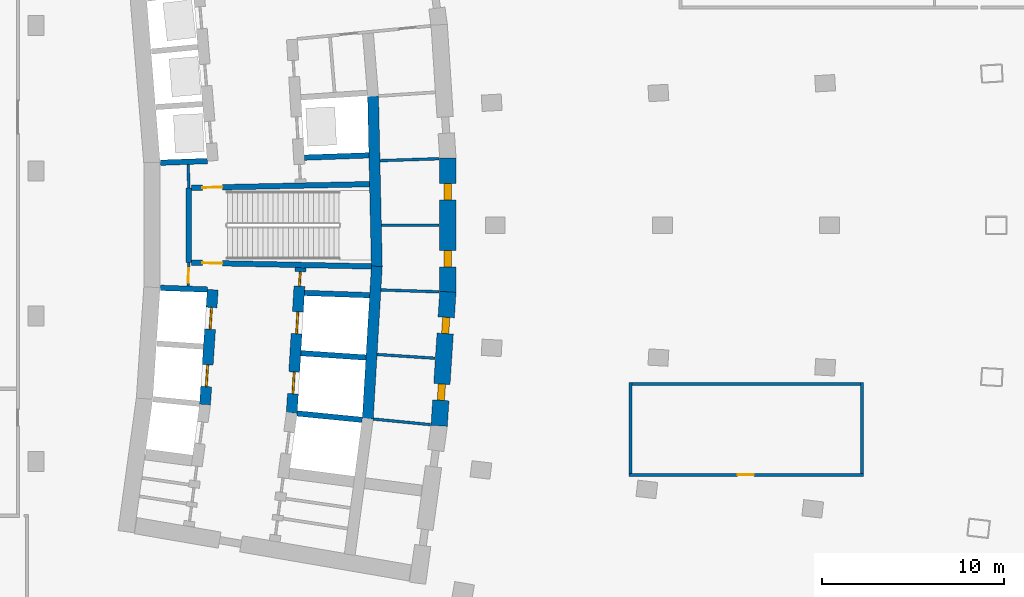
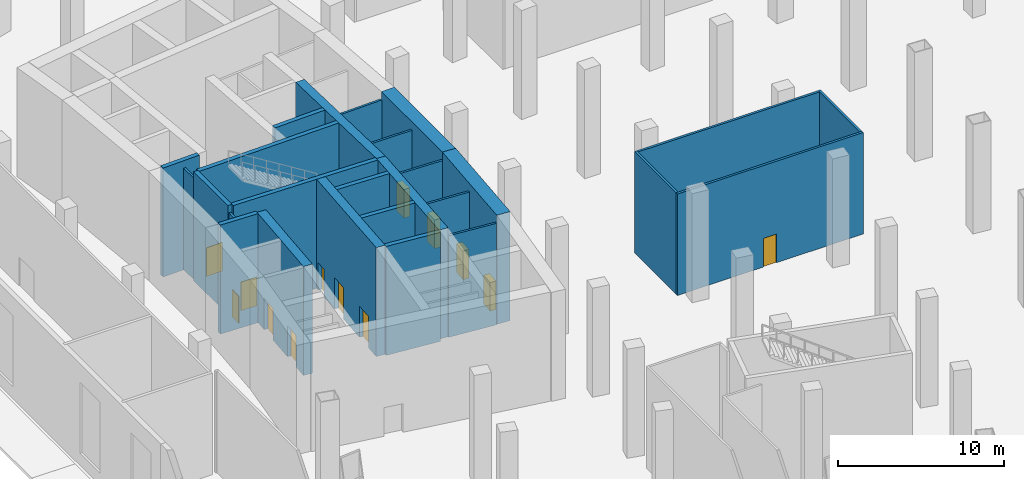
# One storey, part 15 of 33: 26 walls, 13 doors, 13 openings.
"""IFC4 building model written with IfcOpenShell, lengths in metres."""

from ifc_helpers import new_model, si_unit, direction, frame, frame_2d, origin, place, context, subcontext, project, spatial, rectangle, extrude, material, layer, layer_set, type_object, element, fill, save


model = new_model("IFC4")

# Units and contexts
model_context = context("Model", 3, precision=1e-05, world=origin(), true_north=direction((0.0, 1.0)))
body_context = subcontext(model_context, "Body", "Model", "MODEL_VIEW")
ifc_project = project(units=[si_unit("LENGTHUNIT", "METRE"), si_unit("AREAUNIT", "SQUARE_METRE"), si_unit("VOLUMEUNIT", "CUBIC_METRE"), si_unit("PLANEANGLEUNIT", "RADIAN"), si_unit("MASSUNIT", "GRAM", prefix="KILO")], contexts=[model_context])

# Site, building, storey
site_placement = place(None, origin())
site = spatial("IfcSite", under=ifc_project, at=site_placement, CompositionType="ELEMENT")
building_placement = place(site_placement, origin())
building = spatial("IfcBuilding", under=site, at=building_placement, Name="Alderwake Tower", CompositionType="ELEMENT")
storey_placement = place(building_placement, origin())
storey = spatial("IfcBuildingStorey", under=building, at=storey_placement, Name="L00", CompositionType="ELEMENT", Elevation=0.0)

# Wall, opening, door
ifc_material_1 = material(Name="Gypsum shaft wall system, rated")
ifc_layer_1 = layer(ifc_material_1, 0.14990234375)
ifc_layer_set_1 = layer_set([ifc_layer_1], Name="Core room partition 150")
wall_type_1 = type_object("IfcWallType", Name="Core room partition 150", PredefinedType="PARTITIONING", material=ifc_layer_set_1)
wall_1_placement = place(storey_placement, frame((18.918701171875, 58.94384765625, 0.0), z_axis=(0.0, 0.0, 1.0), x_axis=(-0.027348257573, -0.999625966453, 0.0)))
wall_1 = element("IfcWall", 1, at=wall_1_placement, inside=storey, type_object=wall_type_1, Name="CW/L00/PA+24_-37", PredefinedType="PARTITIONING", context=body_context, shape_type="SweptSolid", body=[
    extrude(rectangle(XDim=1.29443359375, YDim=0.14990234375, at=frame_2d((0.647216796875, 0.0))), origin(), (0.0, 0.0, 1.0), 7.449951171875),
])
opening_1_placement = place(wall_1_placement, frame((0.322998046875, 0.0, 0.0)))
opening_1 = element("IfcOpeningElement", 2, at=opening_1_placement, cuts=wall_1, Name="Opening C004", PredefinedType="OPENING", context=body_context, shape_type="SweptSolid", body=[
    extrude(rectangle(XDim=0.800048828125, YDim=2.0, at=frame_2d((0.39990234375, 1.0))), frame((0.0, 0.0849609375, 0.0), z_axis=(0.0, -1.0, 0.0), x_axis=(1.0, 0.0, 0.0)), (0.0, 0.0, 1.0), 0.169921875),
])
ifc_material_2 = material(Name="Painted steel leaf, rated", Category="steel")
door_type_1 = type_object("IfcDoorType", Name="Riser access door 800", OperationType="SINGLE_SWING_LEFT", PredefinedType="DOOR", material=ifc_material_2)
door_1_placement = place(opening_1_placement, origin())
door_1 = element("IfcDoor", 3, at=door_1_placement, inside=storey, type_object=door_type_1, Name="Riser access door", OperationType="SINGLE_SWING_RIGHT", OverallHeight=2.0, OverallWidth=0.800048828125, PredefinedType="DOOR", context=body_context, shape_type="SweptSolid", body=[
    extrude(rectangle(XDim=0.800048828125, YDim=2.0, at=frame_2d((0.39990234375, 1.0))), frame((0.0, 0.02490234375, 0.0), z_axis=(0.0, -1.0, 0.0), x_axis=(1.0, 0.0, 0.0)), (0.0, 0.0, 1.0), 0.050048828125),
])
fill(opening_1, door_1)

# Walls
wall_2_placement = place(storey_placement, frame((18.918701171875, 63.05517578125, 0.0), z_axis=(0.0, 0.0, 1.0), x_axis=(-0.027327648352, 0.999626530078, 0.0)))
element("IfcWall", 4, at=wall_2_placement, inside=storey, type_object=wall_type_1, Name="CW/L00/PA+24_+22", PredefinedType="PARTITIONING", context=body_context, shape_type="SweptSolid", body=[
    extrude(rectangle(XDim=1.29541015625, YDim=0.14990234375, at=frame_2d((0.647705078125, 0.0))), origin(), (0.0, 0.0, 1.0), 7.449951171875),
])
wall_3_placement = place(storey_placement, frame((29.0791015625, 50.326416015625, 0.0), z_axis=(0.0, 0.0, 1.0), x_axis=(0.995249181795, -0.097360495766, 0.0)))
element("IfcWall", 5, at=wall_3_placement, inside=storey, type_object=wall_type_1, Name="CW/L00/PR-102_+128", PredefinedType="PARTITIONING", context=body_context, shape_type="SweptSolid", body=[
    extrude(rectangle(XDim=3.169677734375, YDim=0.14990234375, at=frame_2d((1.5849609375, 0.0))), origin(), (0.0, 0.0, 1.0), 7.449951171875),
])
wall_4_placement = place(storey_placement, frame((29.289794921875, 53.883056640625, 0.0), z_axis=(0.0, 0.0, 1.0), x_axis=(0.997885290873, -0.064999586616, 0.0)))
element("IfcWall", 6, at=wall_4_placement, inside=storey, type_object=wall_type_1, Name="CW/L00/PR-68_+128", PredefinedType="PARTITIONING", context=body_context, shape_type="SweptSolid", body=[
    extrude(rectangle(XDim=3.18896484375, YDim=0.14990234375, at=frame_2d((1.594482421875, 0.0))), origin(), (0.0, 0.0, 1.0), 7.449951171875),
])
wall_5_placement = place(storey_placement, frame((29.50048828125, 57.4384765625, 0.0), z_axis=(0.0, 0.0, 1.0), x_axis=(0.999470508275, -0.032537717924, 0.0)))
element("IfcWall", 7, at=wall_5_placement, inside=storey, type_object=wall_type_1, Name="CW/L00/PR-34_+128", PredefinedType="PARTITIONING", context=body_context, shape_type="SweptSolid", body=[
    extrude(rectangle(XDim=3.21142578125, YDim=0.14990234375, at=frame_2d((1.605712890625, 0.0))), origin(), (0.0, 0.0, 1.0), 7.449951171875),
])
wall_6_placement = place(storey_placement, frame((29.526123046875, 61.0, 0.0), z_axis=(0.0, 0.0, 1.0), x_axis=(1.0, 0.0, 0.0)))
element("IfcWall", 8, at=wall_6_placement, inside=storey, type_object=wall_type_1, Name="CW/L00/PR+0_+128", PredefinedType="PARTITIONING", context=body_context, shape_type="SweptSolid", body=[
    extrude(rectangle(XDim=3.18408203125, YDim=0.14990234375, at=frame_2d((1.592041015625, 0.0))), origin(), (0.0, 0.0, 1.0), 7.449951171875),
])
wall_7_placement = place(storey_placement, frame((29.447509765625, 64.559814453125, 0.0), z_axis=(0.0, 0.0, 1.0), x_axis=(0.999470664956, 0.032532904763, 0.0)))
element("IfcWall", 9, at=wall_7_placement, inside=storey, type_object=wall_type_1, Name="CW/L00/PR+34_+128", PredefinedType="PARTITIONING", context=body_context, shape_type="SweptSolid", body=[
    extrude(rectangle(XDim=3.264404296875, YDim=0.14990234375, at=frame_2d((1.63232421875, 0.0))), origin(), (0.0, 0.0, 1.0), 7.449951171875),
])

# Wall, openings, doors
ifc_material_3 = material(Name="Concrete C70/85", Category="concrete")
ifc_layer_2 = layer(ifc_material_3, 0.89990234375)
ifc_layer_set_2 = layer_set([ifc_layer_2], Name="Core wall outer 900 C70-85")
wall_type_2 = type_object("IfcWallType", Name="Core wall outer 900 C70-85", PredefinedType="SHEAR", material=ifc_layer_set_2)
wall_8_placement = place(storey_placement, frame((33.191162109375, 57.33349609375, 0.0), z_axis=(0.0, 0.0, 1.0), x_axis=(-0.064976219143, -0.997886812693, 0.0)))
wall_8 = element("IfcWall", 10, at=wall_8_placement, inside=storey, type_object=wall_type_2, Name="Core wall CW.011", PredefinedType="SHEAR", context=body_context, shape_type="SweptSolid", body=[
    extrude(rectangle(XDim=7.39453125, YDim=0.89990234375, at=frame_2d((3.697265625, 0.0))), origin(), (0.0, 0.0, 1.0), 8.0),
])
opening_2_placement = place(wall_8_placement, frame((5.087646484375, 0.0, 0.0)))
opening_2 = element("IfcOpeningElement", 11, at=opening_2_placement, cuts=wall_8, Name="Opening C027", PredefinedType="OPENING", context=body_context, shape_type="SweptSolid", body=[
    extrude(rectangle(XDim=0.89990234375, YDim=2.10009765625, at=frame_2d((0.449951171875, 1.050048828125))), frame((0.0, 0.4599609375, 0.0), z_axis=(0.0, -1.0, 0.0), x_axis=(1.0, 0.0, 0.0)), (0.0, 0.0, 1.0), 0.919921875),
])
opening_3_placement = place(wall_8_placement, frame((1.405517578125, 0.0, 0.0)))
opening_3 = element("IfcOpeningElement", 12, at=opening_3_placement, cuts=wall_8, Name="Opening C029", PredefinedType="OPENING", context=body_context, shape_type="SweptSolid", body=[
    extrude(rectangle(XDim=0.89990234375, YDim=2.10009765625, at=frame_2d((0.449951171875, 1.050048828125))), frame((0.0, 0.4599609375, 0.0), z_axis=(0.0, -1.0, 0.0), x_axis=(1.0, 0.0, 0.0)), (0.0, 0.0, 1.0), 0.919921875),
])
ifc_material_4 = material(Name="Painted steel leaf", Category="steel")
door_type_2 = type_object("IfcDoorType", Name="Core room door 900", OperationType="SINGLE_SWING_LEFT", PredefinedType="DOOR", material=ifc_material_4)
door_2_placement = place(opening_2_placement, origin())
door_2 = element("IfcDoor", 13, at=door_2_placement, inside=storey, type_object=door_type_2, Name="Room door", OperationType="SINGLE_SWING_RIGHT", OverallHeight=2.10009765625, OverallWidth=0.89990234375, PredefinedType="DOOR", context=body_context, shape_type="SweptSolid", body=[
    extrude(rectangle(XDim=0.89990234375, YDim=2.10009765625, at=frame_2d((0.449951171875, 1.050048828125))), frame((0.0, 0.199951171875, 0.0), z_axis=(0.0, -1.0, 0.0), x_axis=(1.0, 0.0, 0.0)), (0.0, 0.0, 1.0), 0.39990234375),
])
fill(opening_2, door_2)
door_3_placement = place(opening_3_placement, origin())
door_3 = element("IfcDoor", 14, at=door_3_placement, inside=storey, type_object=door_type_2, Name="Room door", OperationType="SINGLE_SWING_LEFT", OverallHeight=2.10009765625, OverallWidth=0.89990234375, PredefinedType="DOOR", context=body_context, shape_type="SweptSolid", body=[
    extrude(rectangle(XDim=0.89990234375, YDim=2.10009765625, at=frame_2d((0.449951171875, 1.050048828125))), frame((0.0, 0.199951171875, 0.0), z_axis=(0.0, -1.0, 0.0), x_axis=(1.0, 0.0, 0.0)), (0.0, 0.0, 1.0), 0.39990234375),
])
fill(opening_3, door_3)

wall_9_placement = place(storey_placement, frame((33.190185546875, 64.69677734375, 0.0), z_axis=(0.0, 0.0, 1.0), x_axis=(0.0, -1.0, 0.0)))
wall_9 = element("IfcWall", 15, at=wall_9_placement, inside=storey, type_object=wall_type_2, Name="Core wall CW.013", PredefinedType="SHEAR", context=body_context, shape_type="SweptSolid", body=[
    extrude(rectangle(XDim=7.3935546875, YDim=0.89990234375, at=frame_2d((3.69677734375, 0.0))), origin(), (0.0, 0.0, 1.0), 8.0),
])
opening_4_placement = place(wall_9_placement, frame((5.087646484375, 0.0, 0.0)))
opening_4 = element("IfcOpeningElement", 16, at=opening_4_placement, cuts=wall_9, Name="Opening C031", PredefinedType="OPENING", context=body_context, shape_type="SweptSolid", body=[
    extrude(rectangle(XDim=0.89990234375, YDim=2.10009765625, at=frame_2d((0.449951171875, 1.050048828125))), frame((0.0, 0.4599609375, 0.0), z_axis=(0.0, -1.0, 0.0), x_axis=(1.0, 0.0, 0.0)), (0.0, 0.0, 1.0), 0.919921875),
])
opening_5_placement = place(wall_9_placement, frame((1.405517578125, 0.0, 0.0)))
opening_5 = element("IfcOpeningElement", 17, at=opening_5_placement, cuts=wall_9, Name="Opening C034", PredefinedType="OPENING", context=body_context, shape_type="SweptSolid", body=[
    extrude(rectangle(XDim=0.89990234375, YDim=2.10009765625, at=frame_2d((0.449951171875, 1.050048828125))), frame((0.0, 0.4599609375, 0.0), z_axis=(0.0, -1.0, 0.0), x_axis=(1.0, 0.0, 0.0)), (0.0, 0.0, 1.0), 0.919921875),
])
door_4_placement = place(opening_4_placement, origin())
door_4 = element("IfcDoor", 18, at=door_4_placement, inside=storey, type_object=door_type_2, Name="Room door", OperationType="SINGLE_SWING_RIGHT", OverallHeight=2.10009765625, OverallWidth=0.89990234375, PredefinedType="DOOR", context=body_context, shape_type="SweptSolid", body=[
    extrude(rectangle(XDim=0.89990234375, YDim=2.10009765625, at=frame_2d((0.449951171875, 1.050048828125))), frame((0.0, 0.199951171875, 0.0), z_axis=(0.0, -1.0, 0.0), x_axis=(1.0, 0.0, 0.0)), (0.0, 0.0, 1.0), 0.39990234375),
])
fill(opening_4, door_4)
door_5_placement = place(opening_5_placement, origin())
door_5 = element("IfcDoor", 19, at=door_5_placement, inside=storey, type_object=door_type_2, Name="Room door", OperationType="SINGLE_SWING_LEFT", OverallHeight=2.10009765625, OverallWidth=0.89990234375, PredefinedType="DOOR", context=body_context, shape_type="SweptSolid", body=[
    extrude(rectangle(XDim=0.89990234375, YDim=2.10009765625, at=frame_2d((0.449951171875, 1.050048828125))), frame((0.0, 0.199951171875, 0.0), z_axis=(0.0, -1.0, 0.0), x_axis=(1.0, 0.0, 0.0)), (0.0, 0.0, 1.0), 0.39990234375),
])
fill(opening_5, door_5)

# Walls
ifc_material_5 = material(Name="Concrete C70/85", Category="concrete")
ifc_layer_3 = layer(ifc_material_5, 0.300048828125)
ifc_layer_set_3 = layer_set([ifc_layer_3], Name="Core wall shaft 300 C70-85")
wall_type_3 = type_object("IfcWallType", Name="Core wall shaft 300 C70-85", PredefinedType="SHEAR", material=ifc_layer_set_3)
wall_10_placement = place(storey_placement, frame((24.889404296875, 50.635009765625, 0.0), z_axis=(0.0, 0.0, 1.0), x_axis=(0.995156121494, -0.098307140396, 0.0)))
element("IfcWall", 20, at=wall_10_placement, inside=storey, type_object=wall_type_3, Name="Core wall CW.066", PredefinedType="SHEAR", context=body_context, shape_type="SweptSolid", body=[
    extrude(rectangle(XDim=3.595947265625, YDim=0.300048828125, at=frame_2d((1.7978515625, 0.0))), origin(), (0.0, 0.0, 1.0), 8.0),
])
wall_11_placement = place(storey_placement, frame((25.090087890625, 53.954833984375, 0.0), z_axis=(0.0, 0.0, 1.0), x_axis=(0.997758045734, -0.066924451231, 0.0)))
element("IfcWall", 21, at=wall_11_placement, inside=storey, type_object=wall_type_3, Name="Core wall CW.080", PredefinedType="SHEAR", context=body_context, shape_type="SweptSolid", body=[
    extrude(rectangle(XDim=3.596923828125, YDim=0.300048828125, at=frame_2d((1.79833984375, 0.0))), origin(), (0.0, 0.0, 1.0), 8.0),
])
wall_12_placement = place(storey_placement, frame((17.369140625, 57.553466796875, 0.0), z_axis=(0.0, 0.0, 1.0), x_axis=(0.99937189907, -0.035437372217, 0.0)))
element("IfcWall", 22, at=wall_12_placement, inside=storey, type_object=wall_type_3, Name="Core wall CW.076", PredefinedType="SHEAR", context=body_context, shape_type="SweptSolid", body=[
    extrude(rectangle(XDim=2.56982421875, YDim=0.300048828125, at=frame_2d((1.284912109375, 0.0))), origin(), (0.0, 0.0, 1.0), 8.0),
])
wall_13_placement = place(storey_placement, frame((25.29052734375, 57.27294921875, 0.0), z_axis=(0.0, 0.0, 1.0), x_axis=(0.99937585491, -0.035325636908, 0.0)))
element("IfcWall", 23, at=wall_13_placement, inside=storey, type_object=wall_type_3, Name="Core wall CW.077", PredefinedType="SHEAR", context=body_context, shape_type="SweptSolid", body=[
    extrude(rectangle(XDim=3.59375, YDim=0.300048828125, at=frame_2d((1.796875, 0.0))), origin(), (0.0, 0.0, 1.0), 8.0),
])
wall_14_placement = place(storey_placement, frame((17.369384765625, 64.446533203125, 0.0), z_axis=(0.0, 0.0, 1.0), x_axis=(0.999371660382, 0.035444102817, 0.0)))
element("IfcWall", 24, at=wall_14_placement, inside=storey, type_object=wall_type_3, Name="Core wall CW.059", PredefinedType="SHEAR", context=body_context, shape_type="SweptSolid", body=[
    extrude(rectangle(XDim=2.5693359375, YDim=0.300048828125, at=frame_2d((1.28466796875, 0.0))), origin(), (0.0, 0.0, 1.0), 8.0),
])
wall_15_placement = place(storey_placement, frame((25.291259765625, 64.72705078125, 0.0), z_axis=(0.0, 0.0, 1.0), x_axis=(0.999373231824, 0.035399767136, 0.0)))
element("IfcWall", 25, at=wall_15_placement, inside=storey, type_object=wall_type_3, Name="Core wall CW.060", PredefinedType="SHEAR", context=body_context, shape_type="SweptSolid", body=[
    extrude(rectangle(XDim=3.5517578125, YDim=0.300048828125, at=frame_2d((1.77587890625, 0.0))), origin(), (0.0, 0.0, 1.0), 8.0),
])

# Wall, openings, doors
ifc_material_6 = material(Name="Concrete C70/85", Category="concrete")
ifc_layer_4 = layer(ifc_material_6, 0.60009765625)
ifc_layer_set_4 = layer_set([ifc_layer_4], Name="Core wall spine 600 C70-85")
wall_type_4 = type_object("IfcWallType", Name="Core wall spine 600 C70-85", PredefinedType="SHEAR", material=ifc_layer_set_4)
wall_16_placement = place(storey_placement, frame((19.813232421875, 51.12646484375, 0.0), z_axis=(0.0, 0.0, 1.0), x_axis=(0.066892179723, 0.997760209816, 0.0)))
wall_16 = element("IfcWall", 26, at=wall_16_placement, inside=storey, type_object=wall_type_4, Name="Core wall CW.032", PredefinedType="SHEAR", context=body_context, shape_type="SweptSolid", body=[
    extrude(rectangle(XDim=6.339599609375, YDim=0.60009765625, at=frame_2d((3.169921875, 0.0))), origin(), (0.0, 0.0, 1.0), 8.0),
])
opening_6_placement = place(wall_16_placement, frame((0.992431640625, 0.0, 0.0)))
opening_6 = element("IfcOpeningElement", 27, at=opening_6_placement, cuts=wall_16, Name="Opening LD-LP2", PredefinedType="OPENING", context=body_context, shape_type="SweptSolid", body=[
    extrude(rectangle(XDim=1.199951171875, YDim=2.300048828125, at=frame_2d((0.60009765625, 1.14990234375))), frame((0.0, 0.31005859375, 0.0), z_axis=(0.0, -1.0, 0.0), x_axis=(1.0, 0.0, 0.0)), (0.0, 0.0, 1.0), 0.6201171875),
])
opening_7_placement = place(wall_16_placement, frame((4.157470703125, 0.0, 0.0)))
opening_7 = element("IfcOpeningElement", 28, at=opening_7_placement, cuts=wall_16, Name="Opening LD-LP3", PredefinedType="OPENING", context=body_context, shape_type="SweptSolid", body=[
    extrude(rectangle(XDim=1.199951171875, YDim=2.300048828125, at=frame_2d((0.60009765625, 1.14990234375))), frame((0.0, 0.31005859375, 0.0), z_axis=(0.0, -1.0, 0.0), x_axis=(1.0, 0.0, 0.0)), (0.0, 0.0, 1.0), 0.6201171875),
])
ifc_material_7 = material(Name="Stainless steel sliding leaf", Category="steel")
door_type_3 = type_object("IfcDoorType", Name="Lift landing door 1200", OperationType="SLIDING_TO_LEFT", PredefinedType="DOOR", material=ifc_material_7)
door_6_placement = place(opening_6_placement, origin())
door_6 = element("IfcDoor", 29, at=door_6_placement, inside=storey, type_object=door_type_3, Name="Lift landing door LP2", OperationType="SLIDING_TO_LEFT", OverallHeight=2.300048828125, OverallWidth=1.199951171875, PredefinedType="DOOR", context=body_context, shape_type="SweptSolid", body=[
    extrude(rectangle(XDim=1.199951171875, YDim=2.300048828125, at=frame_2d((0.60009765625, 1.14990234375))), frame((0.0, 0.050048828125, 0.0), z_axis=(0.0, -1.0, 0.0), x_axis=(1.0, 0.0, 0.0)), (0.0, 0.0, 1.0), 0.10009765625),
])
fill(opening_6, door_6)
door_7_placement = place(opening_7_placement, origin())
door_7 = element("IfcDoor", 30, at=door_7_placement, inside=storey, type_object=door_type_3, Name="Lift landing door LP3", OperationType="SLIDING_TO_LEFT", OverallHeight=2.300048828125, OverallWidth=1.199951171875, PredefinedType="DOOR", context=body_context, shape_type="SweptSolid", body=[
    extrude(rectangle(XDim=1.199951171875, YDim=2.300048828125, at=frame_2d((0.60009765625, 1.14990234375))), frame((0.0, 0.050048828125, 0.0), z_axis=(0.0, -1.0, 0.0), x_axis=(1.0, 0.0, 0.0)), (0.0, 0.0, 1.0), 0.10009765625),
])
fill(opening_7, door_7)

wall_17_placement = place(storey_placement, frame((24.58984375, 50.6533203125, 0.0), z_axis=(0.0, 0.0, 1.0), x_axis=(0.060323309079, 0.998178890972, 0.0)))
wall_17 = element("IfcWall", 31, at=wall_17_placement, inside=storey, type_object=wall_type_4, Name="Core wall CW.046", PredefinedType="SHEAR", context=body_context, shape_type="SweptSolid", body=[
    extrude(rectangle(XDim=8.025634765625, YDim=0.60009765625, at=frame_2d((4.0126953125, 0.0))), origin(), (0.0, 0.0, 1.0), 8.0),
])
opening_8_placement = place(wall_17_placement, frame((1.06884765625, 0.0, 0.0)))
opening_8 = element("IfcOpeningElement", 32, at=opening_8_placement, cuts=wall_17, Name="Opening LD-LP5", PredefinedType="OPENING", context=body_context, shape_type="SweptSolid", body=[
    extrude(rectangle(XDim=1.199951171875, YDim=2.300048828125, at=frame_2d((0.60009765625, 1.14990234375))), frame((0.0, 0.31005859375, 0.0), z_axis=(0.0, -1.0, 0.0), x_axis=(1.0, 0.0, 0.0)), (0.0, 0.0, 1.0), 0.6201171875),
])
opening_9_placement = place(wall_17_placement, frame((4.38525390625, 0.0, 0.0)))
opening_9 = element("IfcOpeningElement", 33, at=opening_9_placement, cuts=wall_17, Name="Opening LD-LP6", PredefinedType="OPENING", context=body_context, shape_type="SweptSolid", body=[
    extrude(rectangle(XDim=1.199951171875, YDim=2.300048828125, at=frame_2d((0.60009765625, 1.14990234375))), frame((0.0, 0.31005859375, 0.0), z_axis=(0.0, -1.0, 0.0), x_axis=(1.0, 0.0, 0.0)), (0.0, 0.0, 1.0), 0.6201171875),
])
opening_10_placement = place(wall_17_placement, frame((7.009521484375, 0.0, 0.0)))
opening_10 = element("IfcOpeningElement", 34, at=opening_10_placement, cuts=wall_17, Name="Opening C006", PredefinedType="OPENING", context=body_context, shape_type="SweptSolid", body=[
    extrude(rectangle(XDim=0.800048828125, YDim=2.0, at=frame_2d((0.39990234375, 1.0))), frame((0.0, 0.31005859375, 0.0), z_axis=(0.0, -1.0, 0.0), x_axis=(1.0, 0.0, 0.0)), (0.0, 0.0, 1.0), 0.6201171875),
])
door_8_placement = place(opening_8_placement, origin())
door_8 = element("IfcDoor", 35, at=door_8_placement, inside=storey, type_object=door_type_3, Name="Lift landing door LP5", OperationType="SLIDING_TO_LEFT", OverallHeight=2.300048828125, OverallWidth=1.199951171875, PredefinedType="DOOR", context=body_context, shape_type="SweptSolid", body=[
    extrude(rectangle(XDim=1.199951171875, YDim=2.300048828125, at=frame_2d((0.60009765625, 1.14990234375))), frame((0.0, 0.050048828125, 0.0), z_axis=(0.0, -1.0, 0.0), x_axis=(1.0, 0.0, 0.0)), (0.0, 0.0, 1.0), 0.10009765625),
])
fill(opening_8, door_8)
door_9_placement = place(opening_9_placement, origin())
door_9 = element("IfcDoor", 36, at=door_9_placement, inside=storey, type_object=door_type_3, Name="Lift landing door LP6", OperationType="SLIDING_TO_LEFT", OverallHeight=2.300048828125, OverallWidth=1.199951171875, PredefinedType="DOOR", context=body_context, shape_type="SweptSolid", body=[
    extrude(rectangle(XDim=1.199951171875, YDim=2.300048828125, at=frame_2d((0.60009765625, 1.14990234375))), frame((0.0, 0.050048828125, 0.0), z_axis=(0.0, -1.0, 0.0), x_axis=(1.0, 0.0, 0.0)), (0.0, 0.0, 1.0), 0.10009765625),
])
fill(opening_9, door_9)
door_10_placement = place(opening_10_placement, origin())
door_10 = element("IfcDoor", 37, at=door_10_placement, inside=storey, type_object=door_type_1, Name="Riser access door", OperationType="SINGLE_SWING_RIGHT", OverallHeight=2.0, OverallWidth=0.800048828125, PredefinedType="DOOR", context=body_context, shape_type="SweptSolid", body=[
    extrude(rectangle(XDim=0.800048828125, YDim=2.0, at=frame_2d((0.39990234375, 1.0))), frame((0.0, 0.050048828125, 0.0), z_axis=(0.0, -1.0, 0.0), x_axis=(1.0, 0.0, 0.0)), (0.0, 0.0, 1.0), 0.10009765625),
])
fill(opening_10, door_10)

# Walls
wall_18_placement = place(storey_placement, frame((28.77978515625, 50.34423828125, 0.0), z_axis=(0.0, 0.0, 1.0), x_axis=(0.059133840665, 0.998250063305, 0.0)))
element("IfcWall", 38, at=wall_18_placement, inside=storey, type_object=wall_type_4, Name="Core wall CW.004", PredefinedType="SHEAR", context=body_context, shape_type="SweptSolid", body=[
    extrude(rectangle(XDim=8.409912109375, YDim=0.60009765625, at=frame_2d((4.205078125, 0.0))), origin(), (0.0, 0.0, 1.0), 8.0),
])
wall_19_placement = place(storey_placement, frame((29.276611328125, 58.714111328125, 0.0), z_axis=(0.0, 0.0, 1.0), x_axis=(-0.022102514973, 0.999755709577, 0.0)))
element("IfcWall", 39, at=wall_19_placement, inside=storey, type_object=wall_type_4, Name="Core wall CW.007", PredefinedType="SHEAR", context=body_context, shape_type="SweptSolid", body=[
    extrude(rectangle(XDim=9.39990234375, YDim=0.60009765625, at=frame_2d((4.699951171875, 0.0))), origin(), (0.0, 0.0, 1.0), 8.0),
])
ifc_material_8 = material(Name="Concrete C70/85", Category="concrete")
ifc_layer_5 = layer(ifc_material_8, 0.300048828125)
ifc_layer_set_5 = layer_set([ifc_layer_5], Name="Core wall stair enclosure 300 C70-85")
wall_type_5 = type_object("IfcWallType", Name="Core wall stair enclosure 300 C70-85", PredefinedType="SHEAR", material=ifc_layer_set_5)
wall_20_placement = place(storey_placement, frame((18.918701171875, 58.94091796875, 0.0), z_axis=(0.0, 0.0, 1.0), x_axis=(0.0, 1.0, 0.0)))
element("IfcWall", 40, at=wall_20_placement, inside=storey, type_object=wall_type_5, Name="Core wall CW.024", PredefinedType="SHEAR", context=body_context, shape_type="SweptSolid", body=[
    extrude(rectangle(XDim=4.119384765625, YDim=0.300048828125, at=frame_2d((2.0595703125, 0.0))), origin(), (0.0, 0.0, 1.0), 8.0),
])

# Wall, opening, door
wall_21_placement = place(storey_placement, frame((28.976318359375, 58.733154296875, 0.0), z_axis=(0.0, 0.0, 1.0), x_axis=(-0.999783804252, 0.020792901552, 0.0)))
wall_21 = element("IfcWall", 41, at=wall_21_placement, inside=storey, type_object=wall_type_5, Name="Core wall CW.074", PredefinedType="SHEAR", context=body_context, shape_type="SweptSolid", body=[
    extrude(rectangle(XDim=9.909912109375, YDim=0.300048828125, at=frame_2d((4.955078125, 0.0))), origin(), (0.0, 0.0, 1.0), 8.0),
])
opening_11_placement = place(wall_21_placement, frame((8.209716796875, 0.0, 0.0)))
opening_11 = element("IfcOpeningElement", 42, at=opening_11_placement, cuts=wall_21, Name="Opening C063", PredefinedType="OPENING", context=body_context, shape_type="SweptSolid", body=[
    extrude(rectangle(XDim=1.10009765625, YDim=2.10009765625, at=frame_2d((0.550048828125, 1.050048828125))), frame((0.0, 0.159912109375, 0.0), z_axis=(0.0, -1.0, 0.0), x_axis=(1.0, 0.0, 0.0)), (0.0, 0.0, 1.0), 0.320068359375),
])
ifc_material_9 = material(Name="Steel-framed fire door leaf", Category="steel")
door_type_4 = type_object("IfcDoorType", Name="Core stair door 1100 fire-rated", OperationType="SINGLE_SWING_LEFT", PredefinedType="DOOR", material=ifc_material_9)
door_11_placement = place(opening_11_placement, origin())
door_11 = element("IfcDoor", 43, at=door_11_placement, inside=storey, type_object=door_type_4, Name="Stair door", OperationType="SINGLE_SWING_LEFT", OverallHeight=2.10009765625, OverallWidth=1.10009765625, PredefinedType="DOOR", context=body_context, shape_type="SweptSolid", body=[
    extrude(rectangle(XDim=1.10009765625, YDim=2.10009765625, at=frame_2d((0.550048828125, 1.050048828125))), frame((0.0, 0.02490234375, 0.0), z_axis=(0.0, -1.0, 0.0), x_axis=(1.0, 0.0, 0.0)), (0.0, 0.0, 1.0), 0.050048828125),
])
fill(opening_11, door_11)

wall_22_placement = place(storey_placement, frame((19.068603515625, 63.060791015625, 0.0), z_axis=(0.0, 0.0, 1.0), x_axis=(0.999783520771, 0.020806527678, 0.0)))
wall_22 = element("IfcWall", 44, at=wall_22_placement, inside=storey, type_object=wall_type_5, Name="Core wall CW.057", PredefinedType="SHEAR", context=body_context, shape_type="SweptSolid", body=[
    extrude(rectangle(XDim=9.8095703125, YDim=0.300048828125, at=frame_2d((4.90478515625, 0.0))), origin(), (0.0, 0.0, 1.0), 8.0),
])
opening_12_placement = place(wall_22_placement, frame((0.60009765625, 0.0, 0.0)))
opening_12 = element("IfcOpeningElement", 45, at=opening_12_placement, cuts=wall_22, Name="Opening C064", PredefinedType="OPENING", context=body_context, shape_type="SweptSolid", body=[
    extrude(rectangle(XDim=1.10009765625, YDim=2.10009765625, at=frame_2d((0.550048828125, 1.050048828125))), frame((0.0, 0.159912109375, 0.0), z_axis=(0.0, -1.0, 0.0), x_axis=(1.0, 0.0, 0.0)), (0.0, 0.0, 1.0), 0.320068359375),
])
door_12_placement = place(opening_12_placement, origin())
door_12 = element("IfcDoor", 46, at=door_12_placement, inside=storey, type_object=door_type_4, Name="Stair door", OperationType="SINGLE_SWING_RIGHT", OverallHeight=2.10009765625, OverallWidth=1.10009765625, PredefinedType="DOOR", context=body_context, shape_type="SweptSolid", body=[
    extrude(rectangle(XDim=1.10009765625, YDim=2.10009765625, at=frame_2d((0.550048828125, 1.050048828125))), frame((0.0, 0.02490234375, 0.0), z_axis=(0.0, -1.0, 0.0), x_axis=(1.0, 0.0, 0.0)), (0.0, 0.0, 1.0), 0.050048828125),
])
fill(opening_12, door_12)

ifc_material_10 = material(Name="Gypsum board on metal studs, rated")
ifc_layer_6 = layer(ifc_material_10, 0.159912109375)
ifc_layer_set_6 = layer_set([ifc_layer_6], Name="Corridor wall 160")
wall_type_6 = type_object("IfcWallType", Name="Corridor wall 160", PredefinedType="PARTITIONING", material=ifc_layer_set_6)
wall_23_placement = place(storey_placement, frame((56.0810546875, 47.25, 0.0), z_axis=(0.0, 0.0, 1.0), x_axis=(-1.0, 0.0, 0.0)))
wall_23 = element("IfcWall", 47, at=wall_23_placement, inside=storey, type_object=wall_type_6, Name="WL/L00/W80", PredefinedType="PARTITIONING", context=body_context, shape_type="SweptSolid", body=[
    extrude(rectangle(XDim=12.91015625, YDim=0.159912109375, at=frame_2d((6.455078125, 0.0))), origin(), (0.0, 0.0, 1.0), 7.449951171875),
])
opening_13_placement = place(wall_23_placement, frame((6.031005859375, 0.0, 0.0)))
opening_13 = element("IfcOpeningElement", 48, at=opening_13_placement, cuts=wall_23, Name="Opening L00-04", PredefinedType="OPENING", context=body_context, shape_type="SweptSolid", body=[
    extrude(rectangle(XDim=0.89990234375, YDim=2.10009765625, at=frame_2d((0.449951171875, 1.050048828125))), frame((0.0, 0.08984375, 0.0), z_axis=(0.0, -1.0, 0.0), x_axis=(1.0, 0.0, 0.0)), (0.0, 0.0, 1.0), 0.179931640625),
])
ifc_material_11 = material(Name="Painted timber leaf", Category="wood")
door_type_5 = type_object("IfcDoorType", Name="Room door 900", OperationType="SINGLE_SWING_LEFT", PredefinedType="DOOR", material=ifc_material_11)
door_13_placement = place(opening_13_placement, origin())
door_13 = element("IfcDoor", 49, at=door_13_placement, inside=storey, type_object=door_type_5, Name="DR/L00/04", OperationType="SINGLE_SWING_LEFT", OverallHeight=2.10009765625, OverallWidth=0.89990234375, PredefinedType="DOOR", context=body_context, shape_type="SweptSolid", body=[
    extrude(rectangle(XDim=0.89990234375, YDim=2.10009765625, at=frame_2d((0.449951171875, 1.050048828125))), frame((0.0, 0.02490234375, 0.0), z_axis=(0.0, -1.0, 0.0), x_axis=(1.0, 0.0, 0.0)), (0.0, 0.0, 1.0), 0.050048828125),
])
fill(opening_13, door_13)

# Walls
for number, where, z_axis, x_axis, name in (
    (50, (43.2509765625, 52.3310546875, 0.0), (0.0, 0.0, 1.0), (0.0, -1.0, 0.0), "WL/L00/W81"),
    (51, (56.0009765625, 47.330078125, 0.0), (0.0, 0.0, 1.0), (0.0, 1.0, 0.0), "WL/L00/W90"),
):
    element("IfcWall", number, at=place(storey_placement, frame(where, z_axis=z_axis, x_axis=x_axis)), inside=storey, type_object=wall_type_6, Name=name, PredefinedType="PARTITIONING", context=body_context, shape_type="SweptSolid", body=[
        extrude(rectangle(XDim=5.0009765625, YDim=0.159912109375, at=frame_2d((2.50048828125, 0.0))), origin(), (0.0, 0.0, 1.0), 7.449951171875),
    ])
wall_24_placement = place(storey_placement, frame((55.9208984375, 52.2509765625, 0.0), z_axis=(0.0, 0.0, 1.0), x_axis=(-1.0, 0.0, 0.0)))
element("IfcWall", 52, at=wall_24_placement, inside=storey, type_object=wall_type_6, Name="WL/L00/W91", PredefinedType="PARTITIONING", context=body_context, shape_type="SweptSolid", body=[
    extrude(rectangle(XDim=12.58984375, YDim=0.159912109375, at=frame_2d((6.294921875, 0.0))), origin(), (0.0, 0.0, 1.0), 7.449951171875),
])

save(model, "model.ifc")
